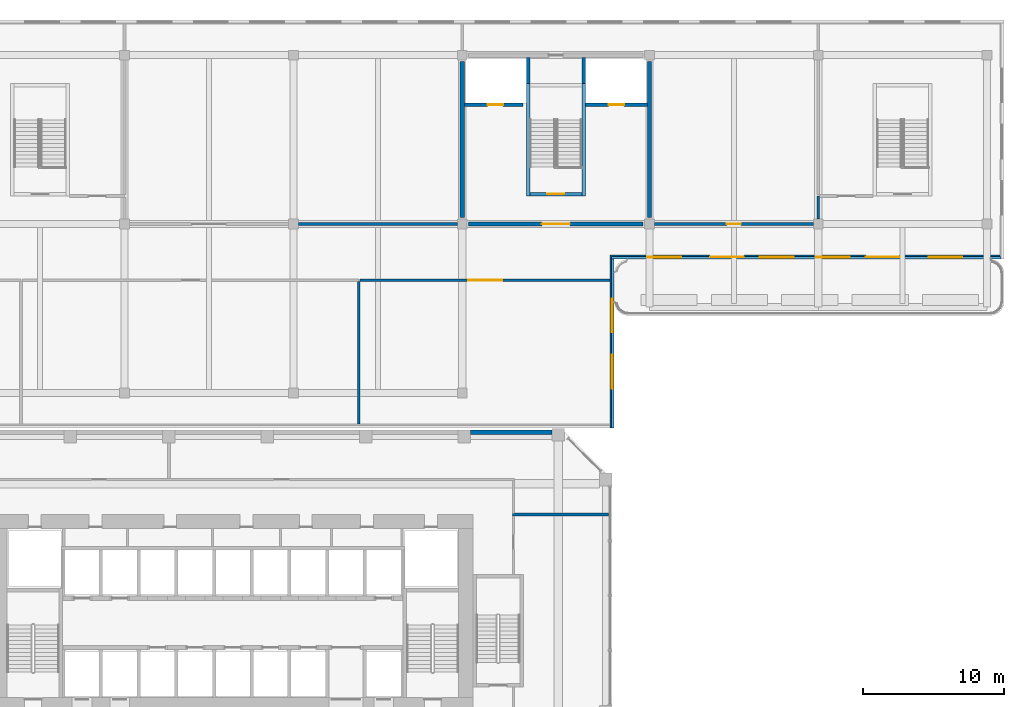
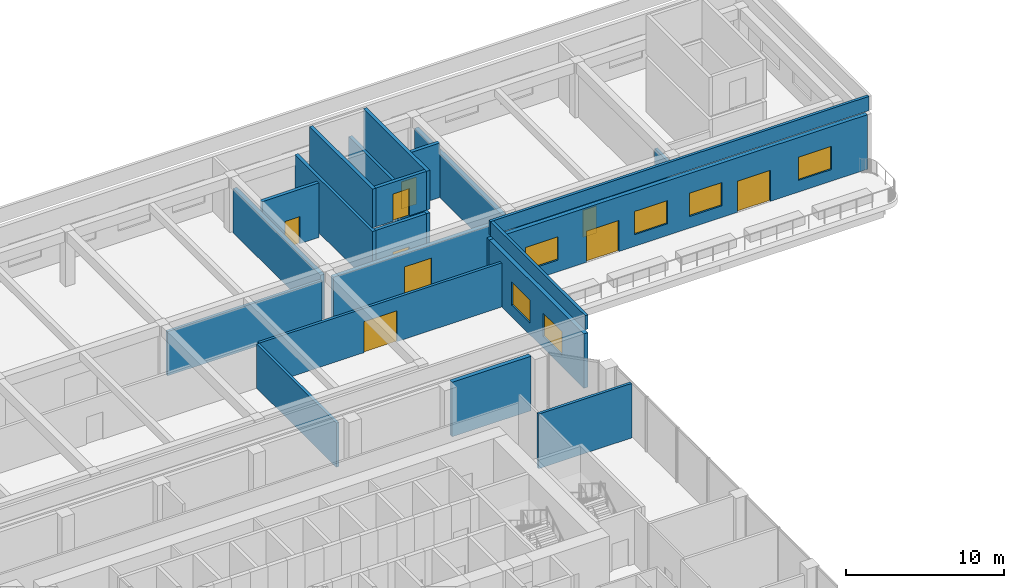
# One storey, part 24 of 35: 22 walls, 9 doors, 6 windows, 15 openings.
"""IFC4 building model written with IfcOpenShell, lengths in metres."""

from ifc_helpers import new_model, si_unit, direction, frame, frame_2d, origin, place, context, subcontext, project, spatial, rectangle, extrude, source, transform, mapped, material, layer, layer_set, type_object, element, fill, save


model = new_model("IFC4")

# Units and contexts
model_context = context("Model", 3, precision=1e-05, world=origin(), true_north=direction((0.0, 1.0)))
body_context = subcontext(model_context, "Body", "Model", "MODEL_VIEW")
ifc_project = project(units=[si_unit("LENGTHUNIT", "METRE"), si_unit("AREAUNIT", "SQUARE_METRE"), si_unit("VOLUMEUNIT", "CUBIC_METRE"), si_unit("PLANEANGLEUNIT", "RADIAN"), si_unit("MASSUNIT", "GRAM", prefix="KILO")], contexts=[model_context])

# Site, building, storey
site_placement = place(None, origin())
site = spatial("IfcSite", under=ifc_project, at=site_placement, CompositionType="ELEMENT")
building_placement = place(site_placement, origin())
building = spatial("IfcBuilding", under=site, at=building_placement, Name="Kilnfold Tower and Market Hall", CompositionType="ELEMENT")
storey_placement = place(building_placement, frame((0.0, 0.0, 22.5)))
storey = spatial("IfcBuildingStorey", under=building, at=storey_placement, Name="L04", CompositionType="ELEMENT", Elevation=22.5)

# Wall
ifc_material_1 = material(Name="Gypsum board on steel studs", Category="steel")
ifc_layer_1 = layer(ifc_material_1, 0.199951171875)
ifc_layer_set_1 = layer_set([ifc_layer_1], Name="Gypsum board on steel studs")
wall_type_1 = type_object("IfcWallType", Name="WALL PARTY 200", PredefinedType="PARTITIONING", material=ifc_layer_set_1)
wall_1_placement = place(storey_placement, frame((20.926025390625, 22.0, 0.0), z_axis=(0.0, 0.0, 1.0), x_axis=(1.0, 0.0, 0.0)))
element("IfcWall", 1, at=wall_1_placement, inside=storey, type_object=wall_type_1, Name="Partition LY05.57", PredefinedType="PARTITIONING", context=body_context, shape_type="SweptSolid", body=[
    extrude(rectangle(XDim=6.823974609375, YDim=0.199951171875, at=frame_2d((3.412109375, 0.0))), origin(), (0.0, 0.0, 1.0), 4.219970703125),
])

# Wall, opening, door
ifc_material_2 = material(Name="Concrete C50/60", Category="concrete")
ifc_layer_2 = layer(ifc_material_2, 0.25)
ifc_layer_set_2 = layer_set([ifc_layer_2], Name="Concrete C50/60")
wall_type_2 = type_object("IfcWallType", Name="HALL CORE WALL 250", PredefinedType="SHEAR", material=ifc_layer_set_2)
shared_shape_1 = source(origin(), body_context, "Body", "SweptSolid", [
    extrude(rectangle(XDim=3.7001953125, YDim=0.25, at=frame_2d((1.85009765625, 0.0))), origin(), (0.0, 0.0, 1.0), 4.219970703125),
])
wall_2_placement = place(storey_placement, frame((25.85009765625, 44.77490234375, 0.0), z_axis=(0.0, 0.0, 1.0), x_axis=(-1.0, 0.0, 0.0)))
wall_2 = element("IfcWall", 2, at=wall_2_placement, inside=storey, type_object=wall_type_2, Name="Core wall MH3", PredefinedType="SHEAR", context=body_context, shape_type="MappedRepresentation", body=[
    mapped(shared_shape_1, transform((0.0, 0.0, 0.0))),
])
opening_1_placement = place(wall_2_placement, frame((1.25, 0.0, 0.0)))
opening_1 = element("IfcOpeningElement", 3, at=opening_1_placement, cuts=wall_2, Name="Opening MD9-60", PredefinedType="OPENING", context=body_context, shape_type="SweptSolid", body=[
    extrude(rectangle(XDim=1.199951171875, YDim=2.10009765625, at=frame_2d((0.60009765625, 1.050048828125))), frame((0.0, 0.135009765625, 0.0), z_axis=(0.0, -1.0, 0.0), x_axis=(1.0, 0.0, 0.0)), (0.0, 0.0, 1.0), 0.27001953125),
])
ifc_material_3 = material(Name="Steel S355", Category="steel")
door_type_1 = type_object("IfcDoorType", Name="HALL DOOR STAIR 1200X2100 FD60", OperationType="NOTDEFINED", PredefinedType="DOOR", material=ifc_material_3)
door_1_placement = place(opening_1_placement, origin())
door_1 = element("IfcDoor", 4, at=door_1_placement, inside=storey, type_object=door_type_1, Name="Door MD9-60", OperationType="DOUBLE_DOOR_SINGLE_SWING", OverallHeight=2.10009765625, OverallWidth=1.199951171875, PredefinedType="DOOR", context=body_context, shape_type="SweptSolid", body=[
    extrude(rectangle(XDim=1.199951171875, YDim=2.10009765625, at=frame_2d((0.60009765625, 1.050048828125))), frame((0.0, 0.02490234375, 0.0), z_axis=(0.0, -1.0, 0.0), x_axis=(1.0, 0.0, 0.0)), (0.0, 0.0, 1.0), 0.050048828125),
])
fill(opening_1, door_1)

# Walls
ifc_material_4 = material(Name="Concrete C50/60", Category="concrete")
ifc_layer_3 = layer(ifc_material_4, 0.300048828125)
ifc_layer_set_3 = layer_set([ifc_layer_3], Name="Concrete C50/60")
wall_type_3 = type_object("IfcWallType", Name="HALL CORE WALL 300", PredefinedType="SHEAR", material=ifc_layer_set_3)
shared_shape_2 = source(origin(), body_context, "Body", "SweptSolid", [
    extrude(rectangle(XDim=11.099853515625, YDim=0.300048828125, at=frame_2d((5.5498046875, 0.0))), origin(), (0.0, 0.0, 1.0), 3.419921875),
])
for number, where, z_axis, x_axis, name in (
    (5, (30.64990234375, 54.199951171875, 0.0), (0.0, 0.0, 1.0), (0.0, -1.0, 0.0), "Core wall MH3"),
    (6, (17.35009765625, 54.199951171875, 0.0), (0.0, 0.0, 1.0), (0.0, -1.0, 0.0), "Core wall MH3"),
):
    element("IfcWall", number, at=place(storey_placement, frame(where, z_axis=z_axis, x_axis=x_axis)), inside=storey, type_object=wall_type_3, Name=name, PredefinedType="SHEAR", context=body_context, shape_type="MappedRepresentation", body=[
        mapped(shared_shape_2, transform((0.0, 0.0, 0.0))),
    ])
shared_shape_3 = source(origin(), body_context, "Body", "SweptSolid", [
    extrude(rectangle(XDim=9.85009765625, YDim=0.25, at=frame_2d((4.925048828125, 0.0))), origin(), (0.0, 0.0, 1.0), 4.219970703125),
])
for number, where, z_axis, x_axis, name in (
    (7, (25.97509765625, 54.5, 0.0), (0.0, 0.0, 1.0), (0.0, -1.0, 0.0), "Core wall MH3"),
    (8, (22.02490234375, 54.5, 0.0), (0.0, 0.0, 1.0), (0.0, -1.0, 0.0), "Core wall MH3"),
):
    element("IfcWall", number, at=place(storey_placement, frame(where, z_axis=z_axis, x_axis=x_axis)), inside=storey, type_object=wall_type_2, Name=name, PredefinedType="SHEAR", context=body_context, shape_type="MappedRepresentation", body=[
        mapped(shared_shape_3, transform((0.0, 0.0, 0.0))),
    ])

# Wall, opening, door
shared_shape_4 = source(origin(), body_context, "Body", "SweptSolid", [
    extrude(rectangle(XDim=12.39990234375, YDim=0.300048828125, at=frame_2d((6.199951171875, 0.0))), origin(), (0.0, 0.0, 1.0), 3.419921875),
])
wall_3_placement = place(storey_placement, frame((30.199951171875, 42.64990234375, 0.0), z_axis=(0.0, 0.0, 1.0), x_axis=(-1.0, 0.0, 0.0)))
wall_3 = element("IfcWall", 9, at=wall_3_placement, inside=storey, type_object=wall_type_3, Name="Core wall MH3", PredefinedType="SHEAR", context=body_context, shape_type="MappedRepresentation", body=[
    mapped(shared_shape_4, transform((0.0, 0.0, 0.0))),
])
opening_2_placement = place(wall_3_placement, frame((5.199951171875, 0.0, 0.0)))
opening_2 = element("IfcOpeningElement", 10, at=opening_2_placement, cuts=wall_3, Name="Opening MD10-60", PredefinedType="OPENING", context=body_context, shape_type="SweptSolid", body=[
    extrude(rectangle(XDim=2.0, YDim=2.39990234375, at=frame_2d((1.0, 1.199951171875))), frame((0.0, 0.16015625, 0.0), z_axis=(0.0, -1.0, 0.0), x_axis=(1.0, 0.0, 0.0)), (0.0, 0.0, 1.0), 0.320068359375),
])
ifc_material_5 = material(Name="Aluminium glazing", Category="aluminium")
door_type_2 = type_object("IfcDoorType", Name="HALL DOOR LOBBY 2000X2400 FD60", OperationType="NOTDEFINED", PredefinedType="DOOR", material=ifc_material_5)
door_2_placement = place(opening_2_placement, origin())
door_2 = element("IfcDoor", 11, at=door_2_placement, inside=storey, type_object=door_type_2, Name="Door MD10-60", OperationType="DOUBLE_DOOR_SINGLE_SWING", OverallHeight=2.39990234375, OverallWidth=2.0, PredefinedType="DOOR", context=body_context, shape_type="SweptSolid", body=[
    extrude(rectangle(XDim=2.0, YDim=2.39990234375, at=frame_2d((1.0, 1.199951171875))), frame((0.0, 0.02490234375, 0.0), z_axis=(0.0, -1.0, 0.0), x_axis=(1.0, 0.0, 0.0)), (0.0, 0.0, 1.0), 0.050048828125),
])
fill(opening_2, door_2)

shared_shape_5 = source(origin(), body_context, "Body", "SweptSolid", [
    extrude(rectangle(XDim=4.39990234375, YDim=0.25, at=frame_2d((2.199951171875, 0.0))), origin(), (0.0, 0.0, 1.0), 4.219970703125),
])
wall_4_placement = place(storey_placement, frame((30.5, 51.125, 0.0), z_axis=(0.0, 0.0, 1.0), x_axis=(-1.0, 0.0, 0.0)))
wall_4 = element("IfcWall", 12, at=wall_4_placement, inside=storey, type_object=wall_type_2, Name="Core wall MH3", PredefinedType="SHEAR", context=body_context, shape_type="MappedRepresentation", body=[
    mapped(shared_shape_5, transform((0.0, 0.0, 0.0))),
])
opening_3_placement = place(wall_4_placement, frame((1.64990234375, 0.0, 0.0)))
opening_3 = element("IfcOpeningElement", 13, at=opening_3_placement, cuts=wall_4, Name="Opening LD", PredefinedType="OPENING", context=body_context, shape_type="SweptSolid", body=[
    extrude(rectangle(XDim=1.10009765625, YDim=2.10009765625, at=frame_2d((0.550048828125, 1.050048828125))), frame((0.0, 0.135009765625, 0.0), z_axis=(0.0, -1.0, 0.0), x_axis=(1.0, 0.0, 0.0)), (0.0, 0.0, 1.0), 0.27001953125),
])
ifc_material_6 = material(Name="Steel S355", Category="steel")
door_type_3 = type_object("IfcDoorType", Name="HALL LANDING DOOR 1100X2100 FD60", OperationType="NOTDEFINED", PredefinedType="DOOR", material=ifc_material_6)
door_3_placement = place(opening_3_placement, origin())
door_3 = element("IfcDoor", 14, at=door_3_placement, inside=storey, type_object=door_type_3, Name="Door LD", OperationType="SLIDING_TO_LEFT", OverallHeight=2.10009765625, OverallWidth=1.10009765625, PredefinedType="DOOR", context=body_context, shape_type="SweptSolid", body=[
    extrude(rectangle(XDim=1.10009765625, YDim=2.10009765625, at=frame_2d((0.550048828125, 1.050048828125))), frame((0.0, 0.02490234375, 0.0), z_axis=(0.0, -1.0, 0.0), x_axis=(1.0, 0.0, 0.0)), (0.0, 0.0, 1.0), 0.050048828125),
])
fill(opening_3, door_3)

shared_shape_6 = source(origin(), body_context, "Body", "SweptSolid", [
    extrude(rectangle(XDim=4.14990234375, YDim=0.25, at=frame_2d((2.074951171875, 0.0))), origin(), (0.0, 0.0, 1.0), 4.219970703125),
])
wall_5_placement = place(storey_placement, frame((21.64990234375, 51.125, 0.0), z_axis=(0.0, 0.0, 1.0), x_axis=(-1.0, 0.0, 0.0)))
wall_5 = element("IfcWall", 15, at=wall_5_placement, inside=storey, type_object=wall_type_2, Name="Core wall MH3", PredefinedType="SHEAR", context=body_context, shape_type="MappedRepresentation", body=[
    mapped(shared_shape_6, transform((0.0, 0.0, 0.0))),
])
opening_4_placement = place(wall_5_placement, frame((1.39990234375, 0.0, 0.0)))
opening_4 = element("IfcOpeningElement", 16, at=opening_4_placement, cuts=wall_5, Name="Opening LD", PredefinedType="OPENING", context=body_context, shape_type="SweptSolid", body=[
    extrude(rectangle(XDim=1.10009765625, YDim=2.10009765625, at=frame_2d((0.550048828125, 1.050048828125))), frame((0.0, 0.135009765625, 0.0), z_axis=(0.0, -1.0, 0.0), x_axis=(1.0, 0.0, 0.0)), (0.0, 0.0, 1.0), 0.27001953125),
])
door_4_placement = place(opening_4_placement, origin())
door_4 = element("IfcDoor", 17, at=door_4_placement, inside=storey, type_object=door_type_3, Name="Door LD", OperationType="SLIDING_TO_LEFT", OverallHeight=2.10009765625, OverallWidth=1.10009765625, PredefinedType="DOOR", context=body_context, shape_type="SweptSolid", body=[
    extrude(rectangle(XDim=1.10009765625, YDim=2.10009765625, at=frame_2d((0.550048828125, 1.050048828125))), frame((0.0, 0.02490234375, 0.0), z_axis=(0.0, -1.0, 0.0), x_axis=(1.0, 0.0, 0.0)), (0.0, 0.0, 1.0), 0.050048828125),
])
fill(opening_4, door_4)

# Wall
ifc_material_7 = material(Name="Precast concrete C50/60", Category="concrete")
ifc_layer_4 = layer(ifc_material_7, 0.300048828125)
ifc_layer_set_4 = layer_set([ifc_layer_4], Name="Precast concrete C50/60")
wall_type_4 = type_object("IfcWallType", Name="PRECAST WALL 300", PredefinedType="SOLIDWALL", material=ifc_layer_set_4)
shared_shape_7 = source(origin(), body_context, "Body", "SweptSolid", [
    extrude(rectangle(XDim=5.78173828125, YDim=0.300048828125, at=frame_2d((2.890869140625, 0.0))), origin(), (0.0, 0.0, 1.0), 4.219970703125),
])
wall_6_placement = place(storey_placement, frame((23.731689453125, 27.85009765625, 0.0), z_axis=(0.0, 0.0, 1.0), x_axis=(-1.0, 0.0, 0.0)))
element("IfcWall", 18, at=wall_6_placement, inside=storey, type_object=wall_type_4, Name="Party wall L04 N", PredefinedType="SOLIDWALL", context=body_context, shape_type="MappedRepresentation", body=[
    mapped(shared_shape_7, transform((0.0, 0.0, 0.0))),
])

# Wall, openings, doors, windows
ifc_material_8 = material(Name="Concrete blockwork", Category="masonry")
ifc_layer_5 = layer(ifc_material_8, 0.300048828125)
ifc_layer_set_5 = layer_set([ifc_layer_5], Name="Concrete blockwork")
wall_type_5 = type_object("IfcWallType", Name="HALL EXTERNAL WALL 300 EI 60", PredefinedType="SOLIDWALL", material=ifc_layer_set_5)
shared_shape_8 = source(origin(), body_context, "Body", "SweptSolid", [
    extrude(rectangle(XDim=27.699951171875, YDim=0.300048828125, at=frame_2d((13.85009765625, 0.0))), origin(), (0.0, 0.0, 1.0), 4.219970703125),
])
wall_7_placement = place(storey_placement, frame((55.550048828125, 40.300048828125, 0.0), z_axis=(0.0, 0.0, 1.0), x_axis=(-1.0, 0.0, 0.0)))
wall_7 = element("IfcWall", 19, at=wall_7_placement, inside=storey, type_object=wall_type_5, Name="External wall MEW-L04.4", PredefinedType="SOLIDWALL", context=body_context, shape_type="MappedRepresentation", body=[
    mapped(shared_shape_8, transform((0.0, 0.0, 0.0))),
])
opening_5_placement = place(wall_7_placement, frame((7.110107421875, 0.0, 0.0)))
opening_5 = element("IfcOpeningElement", 20, at=opening_5_placement, cuts=wall_7, Name="Opening MED2", PredefinedType="OPENING", context=body_context, shape_type="SweptSolid", body=[
    extrude(rectangle(XDim=2.39990234375, YDim=2.39990234375, at=frame_2d((1.199951171875, 1.199951171875))), frame((0.0, 0.16015625, 0.0), z_axis=(0.0, -1.0, 0.0), x_axis=(1.0, 0.0, 0.0)), (0.0, 0.0, 1.0), 0.320068359375),
])
opening_6_placement = place(wall_7_placement, frame((18.18994140625, 0.0, 0.0)))
opening_6 = element("IfcOpeningElement", 21, at=opening_6_placement, cuts=wall_7, Name="Opening MED2", PredefinedType="OPENING", context=body_context, shape_type="SweptSolid", body=[
    extrude(rectangle(XDim=2.39990234375, YDim=2.39990234375, at=frame_2d((1.199951171875, 1.199951171875))), frame((0.0, 0.16015625, 0.0), z_axis=(0.0, -1.0, 0.0), x_axis=(1.0, 0.0, 0.0)), (0.0, 0.0, 1.0), 0.320068359375),
])
opening_7_placement = place(wall_7_placement, frame((2.64990234375, 0.0, 0.89990234375)))
opening_7 = element("IfcOpeningElement", 22, at=opening_7_placement, cuts=wall_7, Name="Opening MEN3", PredefinedType="OPENING", context=body_context, shape_type="SweptSolid", body=[
    extrude(rectangle(XDim=2.39990234375, YDim=1.800048828125, at=frame_2d((1.199951171875, 0.89990234375))), frame((0.0, 0.16015625, 0.0), z_axis=(0.0, -1.0, 0.0), x_axis=(1.0, 0.0, 0.0)), (0.0, 0.0, 1.0), 0.320068359375),
])
opening_8_placement = place(wall_7_placement, frame((10.64990234375, 0.0, 0.89990234375)))
opening_8 = element("IfcOpeningElement", 23, at=opening_8_placement, cuts=wall_7, Name="Opening MEN3", PredefinedType="OPENING", context=body_context, shape_type="SweptSolid", body=[
    extrude(rectangle(XDim=2.39990234375, YDim=1.800048828125, at=frame_2d((1.199951171875, 0.89990234375))), frame((0.0, 0.16015625, 0.0), z_axis=(0.0, -1.0, 0.0), x_axis=(1.0, 0.0, 0.0)), (0.0, 0.0, 1.0), 0.320068359375),
])
opening_9_placement = place(wall_7_placement, frame((14.64990234375, 0.0, 0.89990234375)))
opening_9 = element("IfcOpeningElement", 24, at=opening_9_placement, cuts=wall_7, Name="Opening MEN3", PredefinedType="OPENING", context=body_context, shape_type="SweptSolid", body=[
    extrude(rectangle(XDim=2.39990234375, YDim=1.800048828125, at=frame_2d((1.199951171875, 0.89990234375))), frame((0.0, 0.16015625, 0.0), z_axis=(0.0, -1.0, 0.0), x_axis=(1.0, 0.0, 0.0)), (0.0, 0.0, 1.0), 0.320068359375),
])
opening_10_placement = place(wall_7_placement, frame((22.64990234375, 0.0, 0.89990234375)))
opening_10 = element("IfcOpeningElement", 25, at=opening_10_placement, cuts=wall_7, Name="Opening MEN3", PredefinedType="OPENING", context=body_context, shape_type="SweptSolid", body=[
    extrude(rectangle(XDim=2.39990234375, YDim=1.800048828125, at=frame_2d((1.199951171875, 0.89990234375))), frame((0.0, 0.16015625, 0.0), z_axis=(0.0, -1.0, 0.0), x_axis=(1.0, 0.0, 0.0)), (0.0, 0.0, 1.0), 0.320068359375),
])
ifc_material_9 = material(Name="Aluminium glazing", Category="aluminium")
door_type_4 = type_object("IfcDoorType", Name="DECK DOOR 2400X2400", OperationType="NOTDEFINED", PredefinedType="DOOR", material=ifc_material_9)
door_5_placement = place(opening_5_placement, origin())
door_5 = element("IfcDoor", 26, at=door_5_placement, inside=storey, type_object=door_type_4, Name="Terrace door MED2", OperationType="DOUBLE_DOOR_SINGLE_SWING", OverallHeight=2.39990234375, OverallWidth=2.39990234375, PredefinedType="DOOR", context=body_context, shape_type="SweptSolid", body=[
    extrude(rectangle(XDim=2.39990234375, YDim=2.39990234375, at=frame_2d((1.199951171875, 1.199951171875))), frame((0.0, 0.02490234375, 0.0), z_axis=(0.0, -1.0, 0.0), x_axis=(1.0, 0.0, 0.0)), (0.0, 0.0, 1.0), 0.050048828125),
])
fill(opening_5, door_5)
door_6_placement = place(opening_6_placement, origin())
door_6 = element("IfcDoor", 27, at=door_6_placement, inside=storey, type_object=door_type_4, Name="Terrace door MED2", OperationType="DOUBLE_DOOR_SINGLE_SWING", OverallHeight=2.39990234375, OverallWidth=2.39990234375, PredefinedType="DOOR", context=body_context, shape_type="SweptSolid", body=[
    extrude(rectangle(XDim=2.39990234375, YDim=2.39990234375, at=frame_2d((1.199951171875, 1.199951171875))), frame((0.0, 0.02490234375, 0.0), z_axis=(0.0, -1.0, 0.0), x_axis=(1.0, 0.0, 0.0)), (0.0, 0.0, 1.0), 0.050048828125),
])
fill(opening_6, door_6)
ifc_material_10 = material(Name="Aluminium glazing", Category="aluminium")
window_type = type_object("IfcWindowType", Name="HALL WINDOW 2400X1800", PartitioningType="SINGLE_PANEL", PredefinedType="WINDOW", material=ifc_material_10)
window_1_placement = place(opening_7_placement, origin())
window_1 = element("IfcWindow", 28, at=window_1_placement, inside=storey, type_object=window_type, Name="Window upper", OverallHeight=1.800048828125, OverallWidth=2.39990234375, PartitioningType="SINGLE_PANEL", PredefinedType="WINDOW", context=body_context, shape_type="SweptSolid", body=[
    extrude(rectangle(XDim=2.39990234375, YDim=1.800048828125, at=frame_2d((1.199951171875, 0.89990234375))), frame((0.0, 0.030029296875, 0.0), z_axis=(0.0, -1.0, 0.0), x_axis=(1.0, 0.0, 0.0)), (0.0, 0.0, 1.0), 0.06005859375),
])
fill(opening_7, window_1)
window_2_placement = place(opening_8_placement, origin())
window_2 = element("IfcWindow", 29, at=window_2_placement, inside=storey, type_object=window_type, Name="Window upper", OverallHeight=1.800048828125, OverallWidth=2.39990234375, PartitioningType="SINGLE_PANEL", PredefinedType="WINDOW", context=body_context, shape_type="SweptSolid", body=[
    extrude(rectangle(XDim=2.39990234375, YDim=1.800048828125, at=frame_2d((1.199951171875, 0.89990234375))), frame((0.0, 0.030029296875, 0.0), z_axis=(0.0, -1.0, 0.0), x_axis=(1.0, 0.0, 0.0)), (0.0, 0.0, 1.0), 0.06005859375),
])
fill(opening_8, window_2)
window_3_placement = place(opening_9_placement, origin())
window_3 = element("IfcWindow", 30, at=window_3_placement, inside=storey, type_object=window_type, Name="Window upper", OverallHeight=1.800048828125, OverallWidth=2.39990234375, PartitioningType="SINGLE_PANEL", PredefinedType="WINDOW", context=body_context, shape_type="SweptSolid", body=[
    extrude(rectangle(XDim=2.39990234375, YDim=1.800048828125, at=frame_2d((1.199951171875, 0.89990234375))), frame((0.0, 0.030029296875, 0.0), z_axis=(0.0, -1.0, 0.0), x_axis=(1.0, 0.0, 0.0)), (0.0, 0.0, 1.0), 0.06005859375),
])
fill(opening_9, window_3)
window_4_placement = place(opening_10_placement, origin())
window_4 = element("IfcWindow", 31, at=window_4_placement, inside=storey, type_object=window_type, Name="Window upper", OverallHeight=1.800048828125, OverallWidth=2.39990234375, PartitioningType="SINGLE_PANEL", PredefinedType="WINDOW", context=body_context, shape_type="SweptSolid", body=[
    extrude(rectangle(XDim=2.39990234375, YDim=1.800048828125, at=frame_2d((1.199951171875, 0.89990234375))), frame((0.0, 0.030029296875, 0.0), z_axis=(0.0, -1.0, 0.0), x_axis=(1.0, 0.0, 0.0)), (0.0, 0.0, 1.0), 0.06005859375),
])
fill(opening_10, window_4)

# Wall, openings, windows
shared_shape_9 = source(origin(), body_context, "Body", "SweptSolid", [
    extrude(rectangle(XDim=12.0, YDim=0.300048828125, at=frame_2d((6.0, 0.0))), origin(), (0.0, 0.0, 1.0), 4.219970703125),
])
wall_8_placement = place(storey_placement, frame((28.0, 40.14990234375, 0.0), z_axis=(0.0, 0.0, 1.0), x_axis=(0.0, -1.0, 0.0)))
wall_8 = element("IfcWall", 32, at=wall_8_placement, inside=storey, type_object=wall_type_5, Name="External wall MEW-L04.5", PredefinedType="SOLIDWALL", context=body_context, shape_type="MappedRepresentation", body=[
    mapped(shared_shape_9, transform((0.0, 0.0, 0.0))),
])
opening_11_placement = place(wall_8_placement, frame((2.800048828125, 0.0, 0.89990234375)))
opening_11 = element("IfcOpeningElement", 33, at=opening_11_placement, cuts=wall_8, Name="Opening MEN3", PredefinedType="OPENING", context=body_context, shape_type="SweptSolid", body=[
    extrude(rectangle(XDim=2.39990234375, YDim=1.800048828125, at=frame_2d((1.199951171875, 0.89990234375))), frame((0.0, 0.16015625, 0.0), z_axis=(0.0, -1.0, 0.0), x_axis=(1.0, 0.0, 0.0)), (0.0, 0.0, 1.0), 0.320068359375),
])
opening_12_placement = place(wall_8_placement, frame((6.800048828125, 0.0, 0.89990234375)))
opening_12 = element("IfcOpeningElement", 34, at=opening_12_placement, cuts=wall_8, Name="Opening MEN3", PredefinedType="OPENING", context=body_context, shape_type="SweptSolid", body=[
    extrude(rectangle(XDim=2.39990234375, YDim=1.800048828125, at=frame_2d((1.199951171875, 0.89990234375))), frame((0.0, 0.16015625, 0.0), z_axis=(0.0, -1.0, 0.0), x_axis=(1.0, 0.0, 0.0)), (0.0, 0.0, 1.0), 0.320068359375),
])
window_5_placement = place(opening_11_placement, origin())
window_5 = element("IfcWindow", 35, at=window_5_placement, inside=storey, type_object=window_type, Name="Window upper", OverallHeight=1.800048828125, OverallWidth=2.39990234375, PartitioningType="SINGLE_PANEL", PredefinedType="WINDOW", context=body_context, shape_type="SweptSolid", body=[
    extrude(rectangle(XDim=2.39990234375, YDim=1.800048828125, at=frame_2d((1.199951171875, 0.89990234375))), frame((0.0, 0.030029296875, 0.0), z_axis=(0.0, -1.0, 0.0), x_axis=(1.0, 0.0, 0.0)), (0.0, 0.0, 1.0), 0.06005859375),
])
fill(opening_11, window_5)
window_6_placement = place(opening_12_placement, origin())
window_6 = element("IfcWindow", 36, at=window_6_placement, inside=storey, type_object=window_type, Name="Window upper", OverallHeight=1.800048828125, OverallWidth=2.39990234375, PartitioningType="SINGLE_PANEL", PredefinedType="WINDOW", context=body_context, shape_type="SweptSolid", body=[
    extrude(rectangle(XDim=2.39990234375, YDim=1.800048828125, at=frame_2d((1.199951171875, 0.89990234375))), frame((0.0, 0.030029296875, 0.0), z_axis=(0.0, -1.0, 0.0), x_axis=(1.0, 0.0, 0.0)), (0.0, 0.0, 1.0), 0.06005859375),
])
fill(opening_12, window_6)

# Walls
ifc_material_11 = material(Name="Concrete C40/50", Category="concrete")
ifc_layer_6 = layer(ifc_material_11, 0.199951171875)
ifc_layer_set_6 = layer_set([ifc_layer_6], Name="Concrete C40/50")
wall_type_6 = type_object("IfcWallType", Name="HALL PARAPET 200", PredefinedType="PARAPET", material=ifc_layer_set_6)
shared_shape_10 = source(origin(), body_context, "Body", "SweptSolid", [
    extrude(rectangle(XDim=27.699951171875, YDim=0.199951171875, at=frame_2d((13.85009765625, 0.0))), origin(), (0.0, 0.0, 1.0), 1.10009765625),
])
wall_9_placement = place(storey_placement, frame((55.64990234375, 40.25, 4.5), z_axis=(0.0, 0.0, 1.0), x_axis=(-1.0, 0.0, 0.0)))
element("IfcWall", 37, at=wall_9_placement, inside=storey, type_object=wall_type_6, Name="Roof parapet", PredefinedType="PARAPET", context=body_context, shape_type="MappedRepresentation", body=[
    mapped(shared_shape_10, transform((0.0, 0.0, 0.0))),
])
shared_shape_11 = source(origin(), body_context, "Body", "SweptSolid", [
    extrude(rectangle(XDim=12.0, YDim=0.199951171875, at=frame_2d((6.0, 0.0))), origin(), (0.0, 0.0, 1.0), 1.10009765625),
])
wall_10_placement = place(storey_placement, frame((28.050048828125, 40.14990234375, 4.5), z_axis=(0.0, 0.0, 1.0), x_axis=(0.0, -1.0, 0.0)))
element("IfcWall", 38, at=wall_10_placement, inside=storey, type_object=wall_type_6, Name="Roof parapet", PredefinedType="PARAPET", context=body_context, shape_type="MappedRepresentation", body=[
    mapped(shared_shape_11, transform((0.0, 0.0, 0.0))),
])
ifc_material_12 = material(Name="Concrete C50/60", Category="concrete")
ifc_layer_7 = layer(ifc_material_12, 0.25)
ifc_layer_set_7 = layer_set([ifc_layer_7], Name="Concrete C50/60")
wall_type_7 = type_object("IfcWallType", Name="HEADHOUSE WALL 250", PredefinedType="SOLIDWALL", material=ifc_layer_set_7)
shared_shape_12 = source(origin(), body_context, "Body", "SweptSolid", [
    extrude(rectangle(XDim=8.0, YDim=0.25, at=frame_2d((4.0, 0.0))), origin(), (0.0, 0.0, 1.0), 3.0),
])
for number, where, z_axis, x_axis, name in (
    (39, (22.02490234375, 44.64990234375, 4.5), (0.0, 0.0, 1.0), (0.0, 1.0, 0.0), "Stair head-house wall MS5"),
    (40, (25.97509765625, 44.64990234375, 4.5), (0.0, 0.0, 1.0), (0.0, 1.0, 0.0), "Stair head-house wall MS5"),
):
    element("IfcWall", number, at=place(storey_placement, frame(where, z_axis=z_axis, x_axis=x_axis)), inside=storey, type_object=wall_type_7, Name=name, PredefinedType="SOLIDWALL", context=body_context, shape_type="MappedRepresentation", body=[
        mapped(shared_shape_12, transform((0.0, 0.0, 0.0))),
    ])

# Wall, opening, door
shared_shape_13 = source(origin(), body_context, "Body", "SweptSolid", [
    extrude(rectangle(XDim=3.7001953125, YDim=0.25, at=frame_2d((1.85009765625, 0.0))), origin(), (0.0, 0.0, 1.0), 3.0),
])
wall_11_placement = place(storey_placement, frame((22.14990234375, 44.77490234375, 4.5), z_axis=(0.0, 0.0, 1.0), x_axis=(1.0, 0.0, 0.0)))
wall_11 = element("IfcWall", 41, at=wall_11_placement, inside=storey, type_object=wall_type_7, Name="Stair head-house wall MS5", PredefinedType="SOLIDWALL", context=body_context, shape_type="MappedRepresentation", body=[
    mapped(shared_shape_13, transform((0.0, 0.0, 0.0))),
])
opening_13_placement = place(wall_11_placement, frame((1.25, 0.0, 0.0)))
opening_13 = element("IfcOpeningElement", 42, at=opening_13_placement, cuts=wall_11, Name="Opening MED4", PredefinedType="OPENING", context=body_context, shape_type="SweptSolid", body=[
    extrude(rectangle(XDim=1.199951171875, YDim=2.10009765625, at=frame_2d((0.60009765625, 1.050048828125))), frame((0.0, 0.135009765625, 0.0), z_axis=(0.0, -1.0, 0.0), x_axis=(1.0, 0.0, 0.0)), (0.0, 0.0, 1.0), 0.27001953125),
])
ifc_material_13 = material(Name="Steel S355", Category="steel")
door_type_5 = type_object("IfcDoorType", Name="HEADHOUSE DOOR 1200X2100 FD60", OperationType="NOTDEFINED", PredefinedType="DOOR", material=ifc_material_13)
door_7_placement = place(opening_13_placement, origin())
door_7 = element("IfcDoor", 43, at=door_7_placement, inside=storey, type_object=door_type_5, Name="Head-house door", OperationType="DOUBLE_DOOR_SINGLE_SWING", OverallHeight=2.10009765625, OverallWidth=1.199951171875, PredefinedType="DOOR", context=body_context, shape_type="SweptSolid", body=[
    extrude(rectangle(XDim=1.199951171875, YDim=2.10009765625, at=frame_2d((0.60009765625, 1.050048828125))), frame((0.0, 0.02490234375, 0.0), z_axis=(0.0, -1.0, 0.0), x_axis=(1.0, 0.0, 0.0)), (0.0, 0.0, 1.0), 0.050048828125),
])
fill(opening_13, door_7)

# Wall
ifc_material_14 = material(Name="Concrete blockwork", Category="masonry")
ifc_layer_8 = layer(ifc_material_14, 0.199951171875)
ifc_layer_set_8 = layer_set([ifc_layer_8], Name="Concrete blockwork")
wall_type_8 = type_object("IfcWallType", Name="HALL PARTITION 200 EI 60", PredefinedType="PARTITIONING", material=ifc_layer_set_8)
shared_shape_14 = source(origin(), body_context, "Body", "SweptSolid", [
    extrude(rectangle(XDim=11.300048828125, YDim=0.199951171875, at=frame_2d((5.64990234375, 0.0))), origin(), (0.0, 0.0, 1.0), 3.419921875),
])
wall_12_placement = place(storey_placement, frame((5.699951171875, 42.64990234375, 0.0), z_axis=(0.0, 0.0, 1.0), x_axis=(1.0, 0.0, 0.0)))
element("IfcWall", 44, at=wall_12_placement, inside=storey, type_object=wall_type_8, Name="Partition W-MH-L04.39", PredefinedType="PARTITIONING", context=body_context, shape_type="MappedRepresentation", body=[
    mapped(shared_shape_14, transform((0.0, 0.0, 0.0))),
])

# Wall, opening, door
wall_13_placement = place(storey_placement, frame((31.0, 42.64990234375, 0.0), z_axis=(0.0, 0.0, 1.0), x_axis=(1.0, 0.0, 0.0)))
wall_13 = element("IfcWall", 45, at=wall_13_placement, inside=storey, type_object=wall_type_8, Name="Partition W-MH-L04.44", PredefinedType="PARTITIONING", context=body_context, shape_type="MappedRepresentation", body=[
    mapped(shared_shape_14, transform((0.0, 0.0, 0.0))),
])
opening_14_placement = place(wall_13_placement, frame((5.14990234375, 0.0, 0.0)))
opening_14 = element("IfcOpeningElement", 46, at=opening_14_placement, cuts=wall_13, Name="Opening MD5-60", PredefinedType="OPENING", context=body_context, shape_type="SweptSolid", body=[
    extrude(rectangle(XDim=1.0, YDim=2.10009765625, at=frame_2d((0.5, 1.050048828125))), frame((0.0, 0.10986328125, 0.0), z_axis=(0.0, -1.0, 0.0), x_axis=(1.0, 0.0, 0.0)), (0.0, 0.0, 1.0), 0.219970703125),
])
ifc_material_15 = material(Name="Timber", Category="wood")
door_type_6 = type_object("IfcDoorType", Name="HALL DOOR OFFICE 1000X2100 FD60", OperationType="NOTDEFINED", PredefinedType="DOOR", material=ifc_material_15)
door_8_placement = place(opening_14_placement, origin())
door_8 = element("IfcDoor", 47, at=door_8_placement, inside=storey, type_object=door_type_6, Name="Door MD5-60", OperationType="SINGLE_SWING_LEFT", OverallHeight=2.10009765625, OverallWidth=1.0, PredefinedType="DOOR", context=body_context, shape_type="SweptSolid", body=[
    extrude(rectangle(XDim=1.0, YDim=2.10009765625, at=frame_2d((0.5, 1.050048828125))), frame((0.0, 0.02490234375, 0.0), z_axis=(0.0, -1.0, 0.0), x_axis=(1.0, 0.0, 0.0)), (0.0, 0.0, 1.0), 0.050048828125),
])
fill(opening_14, door_8)

# Walls
ifc_material_16 = material(Name="Concrete blockwork", Category="masonry")
ifc_layer_9 = layer(ifc_material_16, 0.199951171875)
ifc_layer_set_9 = layer_set([ifc_layer_9], Name="Concrete blockwork")
wall_type_9 = type_object("IfcWallType", Name="HALL PARTITION 200 EI 120", PredefinedType="PARTITIONING", material=ifc_layer_set_9)
shared_shape_15 = source(origin(), body_context, "Body", "SweptSolid", [
    extrude(rectangle(XDim=10.10009765625, YDim=0.199951171875, at=frame_2d((5.050048828125, 0.0))), origin(), (0.0, 0.0, 1.0), 3.419921875),
])
wall_14_placement = place(storey_placement, frame((10.0, 38.550048828125, 0.0), z_axis=(0.0, 0.0, 1.0), x_axis=(0.0, -1.0, 0.0)))
element("IfcWall", 48, at=wall_14_placement, inside=storey, type_object=wall_type_9, Name="Partition W-MH-L04.41", PredefinedType="PARTITIONING", context=body_context, shape_type="MappedRepresentation", body=[
    mapped(shared_shape_15, transform((0.0, 0.0, 0.0))),
])
shared_shape_16 = source(origin(), body_context, "Body", "SweptSolid", [
    extrude(rectangle(XDim=1.64990234375, YDim=0.199951171875, at=frame_2d((0.824951171875, 0.0))), origin(), (0.0, 0.0, 1.0), 3.419921875),
])
wall_15_placement = place(storey_placement, frame((42.64990234375, 43.0, 0.0), z_axis=(0.0, 0.0, 1.0), x_axis=(0.0, 1.0, 0.0)))
element("IfcWall", 49, at=wall_15_placement, inside=storey, type_object=wall_type_8, Name="Partition W-MH-L04.45", PredefinedType="PARTITIONING", context=body_context, shape_type="MappedRepresentation", body=[
    mapped(shared_shape_16, transform((0.0, 0.0, 0.0))),
])

# Wall, opening, door
shared_shape_17 = source(origin(), body_context, "Body", "SweptSolid", [
    extrude(rectangle(XDim=17.75, YDim=0.199951171875, at=frame_2d((8.875, 0.0))), origin(), (0.0, 0.0, 1.0), 3.419921875),
])
wall_16_placement = place(storey_placement, frame((27.85009765625, 38.64990234375, 0.0), z_axis=(0.0, 0.0, 1.0), x_axis=(-1.0, 0.0, 0.0)))
wall_16 = element("IfcWall", 50, at=wall_16_placement, inside=storey, type_object=wall_type_8, Name="Partition W-MH-L04.43", PredefinedType="PARTITIONING", context=body_context, shape_type="MappedRepresentation", body=[
    mapped(shared_shape_17, transform((0.0, 0.0, 0.0))),
])
opening_15_placement = place(wall_16_placement, frame((7.675048828125, 0.0, 0.0)))
opening_15 = element("IfcOpeningElement", 51, at=opening_15_placement, cuts=wall_16, Name="Opening MD7-60", PredefinedType="OPENING", context=body_context, shape_type="SweptSolid", body=[
    extrude(rectangle(XDim=2.39990234375, YDim=2.39990234375, at=frame_2d((1.199951171875, 1.199951171875))), frame((0.0, 0.10986328125, 0.0), z_axis=(0.0, -1.0, 0.0), x_axis=(1.0, 0.0, 0.0)), (0.0, 0.0, 1.0), 0.219970703125),
])
ifc_material_17 = material(Name="Aluminium glazing", Category="aluminium")
door_type_7 = type_object("IfcDoorType", Name="HALL DOOR HALL 2400X2400 FD60", OperationType="NOTDEFINED", PredefinedType="DOOR", material=ifc_material_17)
door_9_placement = place(opening_15_placement, origin())
door_9 = element("IfcDoor", 52, at=door_9_placement, inside=storey, type_object=door_type_7, Name="Door MD7-60", OperationType="DOUBLE_DOOR_SINGLE_SWING", OverallHeight=2.39990234375, OverallWidth=2.39990234375, PredefinedType="DOOR", context=body_context, shape_type="SweptSolid", body=[
    extrude(rectangle(XDim=2.39990234375, YDim=2.39990234375, at=frame_2d((1.199951171875, 1.199951171875))), frame((0.0, 0.02490234375, 0.0), z_axis=(0.0, -1.0, 0.0), x_axis=(1.0, 0.0, 0.0)), (0.0, 0.0, 1.0), 0.050048828125),
])
fill(opening_15, door_9)

save(model, "model.ifc")
